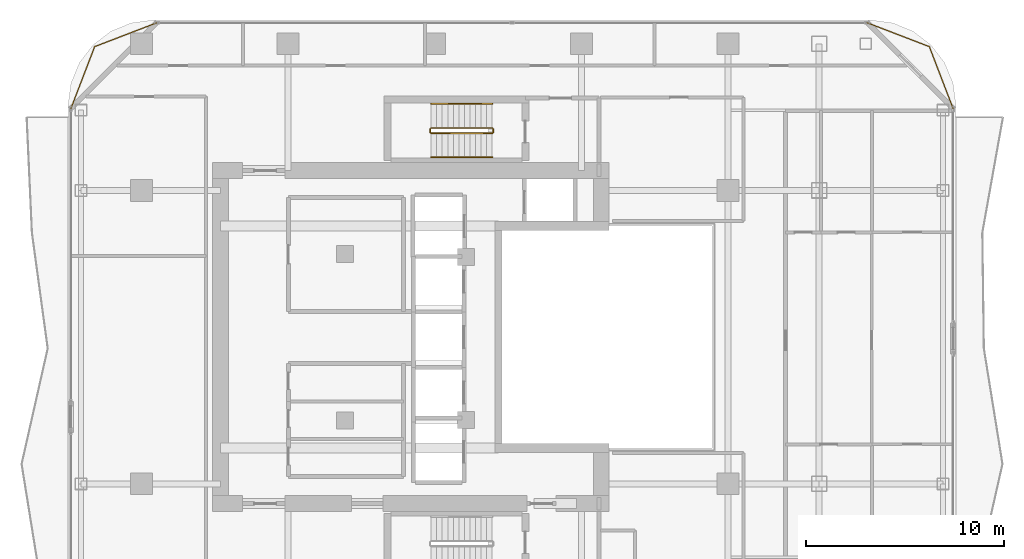
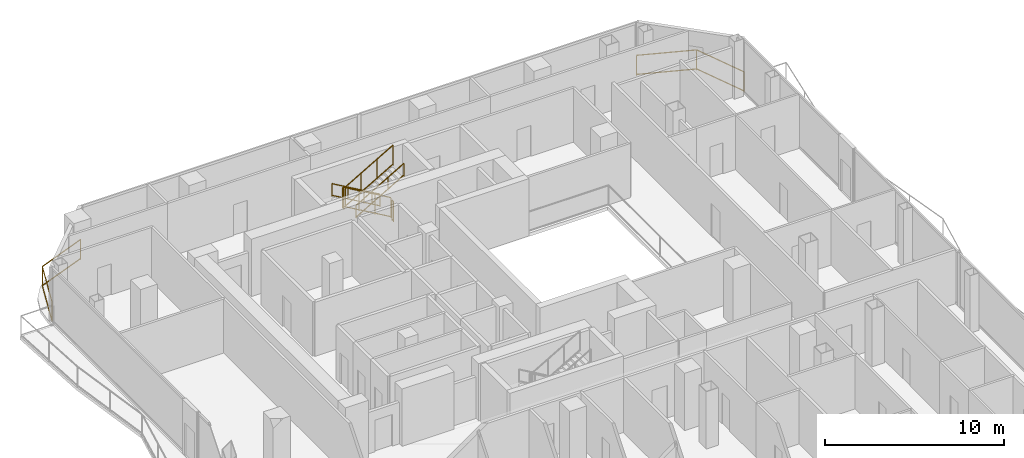
# One storey, part 26 of 26: 8 railings.
"""IFC4 building model written with IfcOpenShell, lengths in metres."""

from ifc_helpers import new_model, si_unit, direction, frame, origin, origin_2d, place, context, subcontext, project, spatial, rectangle, extrude, material, type_object, element, save


model = new_model("IFC4")

# Units and contexts
model_context = context("Model", 3, precision=1e-05, world=origin(), true_north=direction((0.0, 1.0)))
body_context = subcontext(model_context, "Body", "Model", "MODEL_VIEW")
ifc_project = project(units=[si_unit("LENGTHUNIT", "METRE"), si_unit("AREAUNIT", "SQUARE_METRE"), si_unit("VOLUMEUNIT", "CUBIC_METRE"), si_unit("PLANEANGLEUNIT", "RADIAN"), si_unit("MASSUNIT", "GRAM", prefix="KILO")], contexts=[model_context])

# Site, building, storey
site_placement = place(None, origin())
site = spatial("IfcSite", under=ifc_project, at=site_placement, CompositionType="ELEMENT")
building_placement = place(site_placement, origin())
building = spatial("IfcBuilding", under=site, at=building_placement, Name="Khorvyn Point Tower", CompositionType="ELEMENT")
storey_placement = place(building_placement, frame((0.0, 0.0, 223.5)))
storey = spatial("IfcBuildingStorey", under=building, at=storey_placement, Name="L55", CompositionType="ELEMENT", Elevation=223.5)

# Railings
ifc_material_1 = material(Name="Anodised aluminium 6063-T6 and laminated safety glass", Category="aluminium")
railing_type_1 = type_object("IfcRailingType", Name="Laminated Glass and Aluminium Balcony Guardrail 1400", PredefinedType="BALUSTRADE", material=ifc_material_1)
railing_1_placement = place(storey_placement, frame((-13.981201171875, 15.874267578125, 0.0)))
element("IfcRailing", 1, at=railing_1_placement, inside=storey, type_object=railing_type_1, Name="L55 Rounded Corner Edge Guardrail NW", PredefinedType="BALUSTRADE", context=body_context, shape_type="SweptSolid", body=[
    extrude(rectangle(XDim=0.048095703125, YDim=0.048095703125, at=origin_2d()), frame((0.0, 0.0, 1.3759765625), z_axis=(-0.933589651443, -0.358343916815, 0.0), x_axis=(0.358343916815, -0.933589651443, 0.0)), (0.0, 0.0, 1.0), 3.400390625),
    extrude(rectangle(XDim=0.048095703125, YDim=0.048095703125, at=origin_2d()), frame((0.0, 0.0, 0.080078125), z_axis=(-0.933589651443, -0.358343916815, 0.0), x_axis=(0.358343916815, -0.933589651443, 0.0)), (0.0, 0.0, 1.0), 3.400390625),
    extrude(rectangle(XDim=0.048095703125, YDim=0.048095703125, at=origin_2d()), frame((-3.174560546875, -1.218505859375, 1.3759765625), z_axis=(-0.358343916815, -0.933589651443, 0.0), x_axis=(0.933589651443, -0.358343916815, 0.0)), (0.0, 0.0, 1.0), 3.400390625),
    extrude(rectangle(XDim=0.048095703125, YDim=0.048095703125, at=origin_2d()), frame((-3.174560546875, -1.218505859375, 0.080078125), z_axis=(-0.358343916815, -0.933589651443, 0.0), x_axis=(0.933589651443, -0.358343916815, 0.0)), (0.0, 0.0, 1.0), 3.400390625),
    extrude(rectangle(XDim=0.0419921875, YDim=0.0419921875, at=origin_2d()), origin(), (0.0, 0.0, 1.0), 1.351806640625),
    extrude(rectangle(XDim=0.0419921875, YDim=0.0419921875, at=origin_2d()), frame((-3.174560546875, -1.218505859375, 0.0)), (0.0, 0.0, 1.0), 1.351806640625),
    extrude(rectangle(XDim=0.0419921875, YDim=0.0419921875, at=origin_2d()), frame((-4.39306640625, -4.39306640625, 0.0)), (0.0, 0.0, 1.0), 1.351806640625),
])
railing_2_placement = place(storey_placement, frame((26.17431640625, 11.481201171875, 0.0)))
element("IfcRailing", 2, at=railing_2_placement, inside=storey, type_object=railing_type_1, Name="L55 Rounded Corner Edge Guardrail NE", PredefinedType="BALUSTRADE", context=body_context, shape_type="SweptSolid", body=[
    extrude(rectangle(XDim=0.048095703125, YDim=0.048095703125, at=origin_2d()), frame((0.0, 0.0, 1.3759765625), z_axis=(-0.358343916815, 0.933589651443, 0.0), x_axis=(-0.933589651443, -0.358343916815, 0.0)), (0.0, 0.0, 1.0), 3.400390625),
    extrude(rectangle(XDim=0.048095703125, YDim=0.048095703125, at=origin_2d()), frame((0.0, 0.0, 0.080078125), z_axis=(-0.358343916815, 0.933589651443, 0.0), x_axis=(-0.933589651443, -0.358343916815, 0.0)), (0.0, 0.0, 1.0), 3.400390625),
    extrude(rectangle(XDim=0.048095703125, YDim=0.048095703125, at=origin_2d()), frame((-1.218505859375, 3.174560546875, 1.3759765625), z_axis=(-0.933589651443, 0.358343916815, 0.0), x_axis=(-0.358343916815, -0.933589651443, 0.0)), (0.0, 0.0, 1.0), 3.400390625),
    extrude(rectangle(XDim=0.048095703125, YDim=0.048095703125, at=origin_2d()), frame((-1.218505859375, 3.174560546875, 0.080078125), z_axis=(-0.933589651443, 0.358343916815, 0.0), x_axis=(-0.358343916815, -0.933589651443, 0.0)), (0.0, 0.0, 1.0), 3.400390625),
    extrude(rectangle(XDim=0.0419921875, YDim=0.0419921875, at=origin_2d()), origin(), (0.0, 0.0, 1.0), 1.351806640625),
    extrude(rectangle(XDim=0.0419921875, YDim=0.0419921875, at=origin_2d()), frame((-1.218505859375, 3.174560546875, 0.0)), (0.0, 0.0, 1.0), 1.351806640625),
    extrude(rectangle(XDim=0.0419921875, YDim=0.0419921875, at=origin_2d()), frame((-4.39306640625, 4.39306640625, 0.0)), (0.0, 0.0, 1.0), 1.351806640625),
])
ifc_material_2 = material(Name="Stainless steel 1.4301", Category="steel")
railing_type_2 = type_object("IfcRailingType", Name="Stainless Steel 304 Stair Pitch Handrail 900", PredefinedType="HANDRAIL", material=ifc_material_2)
railing_3_placement = place(storey_placement, frame((2.89990234375, 11.77001953125, 0.16259765625)))
element("IfcRailing", 3, at=railing_3_placement, inside=storey, type_object=railing_type_2, Name="L55 ST-02 stair handrail 1", PredefinedType="HANDRAIL", context=body_context, shape_type="SweptSolid", body=[
    extrude(rectangle(XDim=0.048095703125, YDim=0.048095703125, at=origin_2d()), frame((0.0, 0.0, 0.8759765625), z_axis=(-0.864903211148, 0.0, 0.501938676878), x_axis=(0.0, -1.0, 0.0)), (0.0, 0.0, 1.0), 3.560791015625),
    extrude(rectangle(XDim=0.048095703125, YDim=0.048095703125, at=origin_2d()), frame((0.0, 0.0, 0.080078125), z_axis=(-0.864903211148, 0.0, 0.501938676878), x_axis=(0.0, -1.0, 0.0)), (0.0, 0.0, 1.0), 3.560791015625),
    extrude(rectangle(XDim=0.0419921875, YDim=0.0419921875, at=origin_2d()), origin(), (0.0, 0.0, 1.0), 0.851806640625),
    extrude(rectangle(XDim=0.0419921875, YDim=0.0419921875, at=origin_2d()), frame((-1.026611328125, 0.0, 0.595703125)), (0.0, 0.0, 1.0), 0.851806640625),
    extrude(rectangle(XDim=0.0419921875, YDim=0.0419921875, at=origin_2d()), frame((-2.05322265625, 0.0, 1.191650390625)), (0.0, 0.0, 1.0), 0.851806640625),
    extrude(rectangle(XDim=0.0419921875, YDim=0.0419921875, at=origin_2d()), frame((-3.079833984375, 0.0, 1.787353515625)), (0.0, 0.0, 1.0), 0.851806640625),
])
railing_4_placement = place(storey_placement, frame((-0.179931640625, 9.070068359375, 2.112548828125)))
element("IfcRailing", 4, at=railing_4_placement, inside=storey, type_object=railing_type_2, Name="L55 ST-02 stair handrail 2", PredefinedType="HANDRAIL", context=body_context, shape_type="SweptSolid", body=[
    extrude(rectangle(XDim=0.048095703125, YDim=0.048095703125, at=origin_2d()), frame((0.0, 0.0, 0.8759765625), z_axis=(0.864903211148, 0.0, 0.501938676878), x_axis=(0.0, 1.0, 0.0)), (0.0, 0.0, 1.0), 3.560791015625),
    extrude(rectangle(XDim=0.048095703125, YDim=0.048095703125, at=origin_2d()), frame((0.0, 0.0, 0.080078125), z_axis=(0.864903211148, 0.0, 0.501938676878), x_axis=(0.0, 1.0, 0.0)), (0.0, 0.0, 1.0), 3.560791015625),
    extrude(rectangle(XDim=0.0419921875, YDim=0.0419921875, at=origin_2d()), origin(), (0.0, 0.0, 1.0), 0.851806640625),
    extrude(rectangle(XDim=0.0419921875, YDim=0.0419921875, at=origin_2d()), frame((1.026611328125, 0.0, 0.595703125)), (0.0, 0.0, 1.0), 0.851806640625),
    extrude(rectangle(XDim=0.0419921875, YDim=0.0419921875, at=origin_2d()), frame((2.05322265625, 0.0, 1.191650390625)), (0.0, 0.0, 1.0), 0.851806640625),
    extrude(rectangle(XDim=0.0419921875, YDim=0.0419921875, at=origin_2d()), frame((3.079833984375, 0.0, 1.787353515625)), (0.0, 0.0, 1.0), 0.851806640625),
])
railing_type_3 = type_object("IfcRailingType", Name="Stainless Steel 304 Stair Well Guardrail 1400", PredefinedType="GUARDRAIL", material=ifc_material_2)
railing_5_placement = place(storey_placement, frame((2.89990234375, 10.550048828125, 0.16259765625)))
element("IfcRailing", 5, at=railing_5_placement, inside=storey, type_object=railing_type_3, Name="L55 ST-02 stair guard 1", PredefinedType="GUARDRAIL", context=body_context, shape_type="SweptSolid", body=[
    extrude(rectangle(XDim=0.048095703125, YDim=0.048095703125, at=origin_2d()), frame((0.0, 0.0, 1.3759765625), z_axis=(-0.864903211148, 0.0, 0.501938676878), x_axis=(0.0, -1.0, 0.0)), (0.0, 0.0, 1.0), 3.560791015625),
    extrude(rectangle(XDim=0.048095703125, YDim=0.048095703125, at=origin_2d()), frame((0.0, 0.0, 0.080078125), z_axis=(-0.864903211148, 0.0, 0.501938676878), x_axis=(0.0, -1.0, 0.0)), (0.0, 0.0, 1.0), 3.560791015625),
    extrude(rectangle(XDim=0.0419921875, YDim=0.0419921875, at=origin_2d()), origin(), (0.0, 0.0, 1.0), 1.351806640625),
    extrude(rectangle(XDim=0.0419921875, YDim=0.0419921875, at=origin_2d()), frame((-1.026611328125, 0.0, 0.595703125)), (0.0, 0.0, 1.0), 1.351806640625),
    extrude(rectangle(XDim=0.0419921875, YDim=0.0419921875, at=origin_2d()), frame((-2.05322265625, 0.0, 1.191650390625)), (0.0, 0.0, 1.0), 1.351806640625),
    extrude(rectangle(XDim=0.0419921875, YDim=0.0419921875, at=origin_2d()), frame((-3.079833984375, 0.0, 1.787353515625)), (0.0, 0.0, 1.0), 1.351806640625),
])
railing_6_placement = place(storey_placement, frame((-0.22998046875, 10.5, 1.949951171875)))
element("IfcRailing", 6, at=railing_6_placement, inside=storey, type_object=railing_type_3, Name="L55 ST-02 stair guard 2", PredefinedType="GUARDRAIL", context=body_context, shape_type="SweptSolid", body=[
    extrude(rectangle(XDim=0.048095703125, YDim=0.048095703125, at=origin_2d()), frame((0.0, 0.0, 1.3759765625), z_axis=(0.0, -1.0, 0.0), x_axis=(1.0, 0.0, 0.0)), (0.0, 0.0, 1.0), 0.159912109375),
    extrude(rectangle(XDim=0.048095703125, YDim=0.048095703125, at=origin_2d()), frame((0.0, 0.0, 0.080078125), z_axis=(0.0, -1.0, 0.0), x_axis=(1.0, 0.0, 0.0)), (0.0, 0.0, 1.0), 0.159912109375),
    extrude(rectangle(XDim=0.0419921875, YDim=0.0419921875, at=origin_2d()), origin(), (0.0, 0.0, 1.0), 1.351806640625),
    extrude(rectangle(XDim=0.0419921875, YDim=0.0419921875, at=origin_2d()), frame((0.0, -0.159912109375, 0.0)), (0.0, 0.0, 1.0), 1.351806640625),
])
railing_7_placement = place(storey_placement, frame((-0.179931640625, 10.2900390625, 2.112548828125)))
element("IfcRailing", 7, at=railing_7_placement, inside=storey, type_object=railing_type_3, Name="L55 ST-02 stair guard 3", PredefinedType="GUARDRAIL", context=body_context, shape_type="SweptSolid", body=[
    extrude(rectangle(XDim=0.048095703125, YDim=0.048095703125, at=origin_2d()), frame((0.0, 0.0, 1.3759765625), z_axis=(0.864903211148, 0.0, 0.501938676878), x_axis=(0.0, 1.0, 0.0)), (0.0, 0.0, 1.0), 3.560791015625),
    extrude(rectangle(XDim=0.048095703125, YDim=0.048095703125, at=origin_2d()), frame((0.0, 0.0, 0.080078125), z_axis=(0.864903211148, 0.0, 0.501938676878), x_axis=(0.0, 1.0, 0.0)), (0.0, 0.0, 1.0), 3.560791015625),
    extrude(rectangle(XDim=0.0419921875, YDim=0.0419921875, at=origin_2d()), origin(), (0.0, 0.0, 1.0), 1.351806640625),
    extrude(rectangle(XDim=0.0419921875, YDim=0.0419921875, at=origin_2d()), frame((1.026611328125, 0.0, 0.595703125)), (0.0, 0.0, 1.0), 1.351806640625),
    extrude(rectangle(XDim=0.0419921875, YDim=0.0419921875, at=origin_2d()), frame((2.05322265625, 0.0, 1.191650390625)), (0.0, 0.0, 1.0), 1.351806640625),
    extrude(rectangle(XDim=0.0419921875, YDim=0.0419921875, at=origin_2d()), frame((3.079833984375, 0.0, 1.787353515625)), (0.0, 0.0, 1.0), 1.351806640625),
])
railing_8_placement = place(storey_placement, frame((2.949951171875, 10.5, 0.0)))
element("IfcRailing", 8, at=railing_8_placement, inside=storey, type_object=railing_type_3, Name="L55 ST-02 stair guard 4", PredefinedType="GUARDRAIL", context=body_context, shape_type="SweptSolid", body=[
    extrude(rectangle(XDim=0.048095703125, YDim=0.048095703125, at=origin_2d()), frame((0.0, 0.0, 1.3759765625), z_axis=(0.0, -1.0, 0.0), x_axis=(1.0, 0.0, 0.0)), (0.0, 0.0, 1.0), 0.159912109375),
    extrude(rectangle(XDim=0.048095703125, YDim=0.048095703125, at=origin_2d()), frame((0.0, 0.0, 0.080078125), z_axis=(0.0, -1.0, 0.0), x_axis=(1.0, 0.0, 0.0)), (0.0, 0.0, 1.0), 0.159912109375),
    extrude(rectangle(XDim=0.0419921875, YDim=0.0419921875, at=origin_2d()), origin(), (0.0, 0.0, 1.0), 1.351806640625),
    extrude(rectangle(XDim=0.0419921875, YDim=0.0419921875, at=origin_2d()), frame((0.0, -0.159912109375, 0.0)), (0.0, 0.0, 1.0), 1.351806640625),
])

save(model, "model.ifc")
